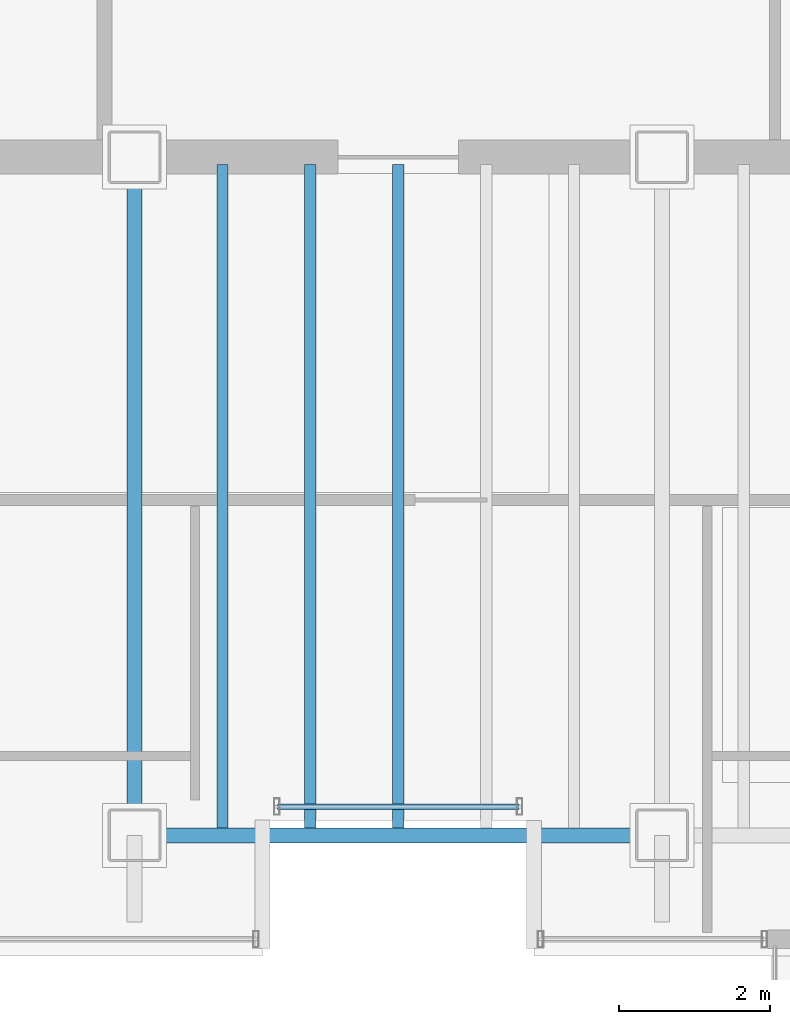
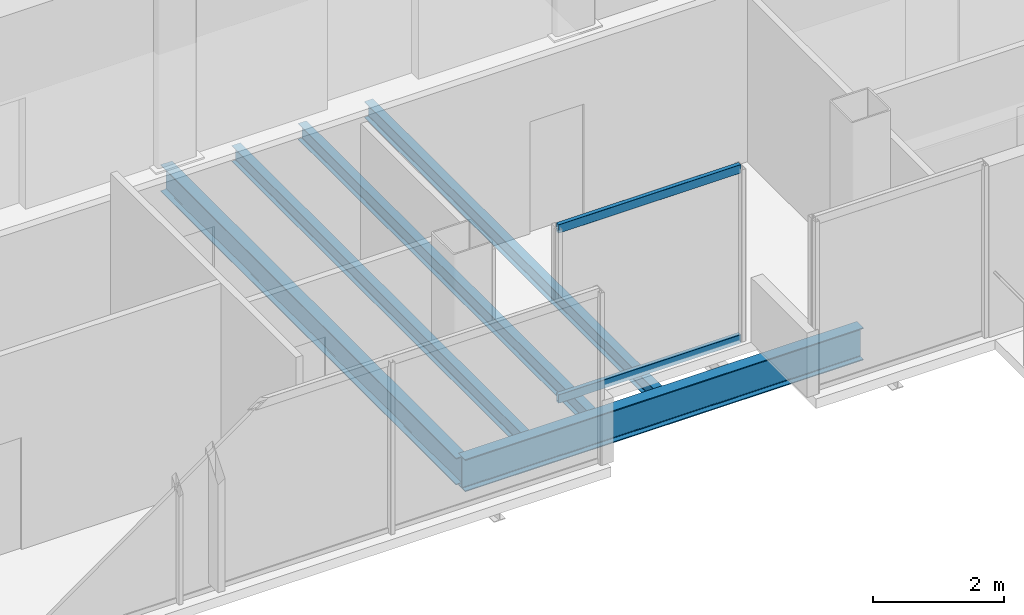
# One storey, part 3 of 17: 5 beams, 2 members, 1 element without a shape of its own.
"""IFC4 building model written with IfcOpenShell, lengths in metres."""

from ifc_helpers import new_model, si_unit, direction, frame, origin, origin_2d, place, context, subcontext, project, spatial, hollow_rectangle, i_section, extrude, material, material_profile, profile_set, type_object, element, aggregate, save


model = new_model("IFC4")

# Units and contexts
model_context = context("Model", 3, precision=1e-05, world=origin(), true_north=direction((0.0, 1.0)))
body_context = subcontext(model_context, "Body", "Model", "MODEL_VIEW")
ifc_project = project(units=[si_unit("LENGTHUNIT", "METRE"), si_unit("AREAUNIT", "SQUARE_METRE"), si_unit("VOLUMEUNIT", "CUBIC_METRE"), si_unit("PLANEANGLEUNIT", "RADIAN"), si_unit("MASSUNIT", "GRAM", prefix="KILO")], contexts=[model_context])

# Site, building, storey
site_placement = place(None, origin())
site = spatial("IfcSite", under=ifc_project, at=site_placement, CompositionType="ELEMENT")
building_placement = place(site_placement, origin())
building = spatial("IfcBuilding", under=site, at=building_placement, Name="Noeulbin Bourse Tower", CompositionType="ELEMENT")
storey_placement = place(building_placement, frame((0.0, 0.0, 293.0)))
storey = spatial("IfcBuildingStorey", under=building, at=storey_placement, Name="L73", CompositionType="ELEMENT", Elevation=293.0)

# Beams
ifc_material_1 = material(Name="Steel S355", Category="steel")
ifc_material_profile_1 = material_profile(ifc_material_1, i_section(OverallWidth=0.199951171875, OverallDepth=0.5, WebThickness=0.010009765625, FlangeThickness=0.01611328125, FilletRadius=0.02001953125, at=origin_2d()), Name="H-500x200x10x16", Category="LoadBearing")
ifc_profile_set_1 = profile_set([ifc_material_profile_1], Name="Steel S355")
beam_type_1 = type_object("IfcBeamType", Name="BM-GRD-500", PredefinedType="USERDEFINED", material=ifc_profile_set_1)
beam_1_placement = place(storey_placement, frame((24.0, 20.0, -0.429931640625), z_axis=(0.0, 1.0, 0.0), x_axis=(-1.0, 0.0, 0.0)))
element("IfcBeam", 1, at=beam_1_placement, inside=storey, type_object=beam_type_1, Name="Tower Primary Girder NS L73-2.2", ObjectType="GIRDER", PredefinedType="USERDEFINED", context=body_context, shape_type="SweptSolid", body=[
    extrude(i_section(OverallWidth=0.199951171875, OverallDepth=0.5, WebThickness=0.010009765625, FlangeThickness=0.01611328125, FilletRadius=0.02001953125, at=origin_2d()), origin(), (0.0, 0.0, 1.0), 9.0),
])
ifc_material_profile_2 = material_profile(ifc_material_1, i_section(OverallWidth=0.199951171875, OverallDepth=0.60009765625, WebThickness=0.010986328125, FlangeThickness=0.01708984375, FilletRadius=0.02197265625, at=origin_2d()), Name="H-600x200x11x17", Category="LoadBearing")
ifc_profile_set_2 = profile_set([ifc_material_profile_2], Name="Steel S355")
beam_type_2 = type_object("IfcBeamType", Name="BM-GRD-600", PredefinedType="USERDEFINED", material=ifc_profile_set_2)
beam_2_placement = place(storey_placement, frame((24.0, 20.0, -0.47998046875), z_axis=(1.0, 0.0, 0.0), x_axis=(0.0, 1.0, 0.0)))
element("IfcBeam", 2, at=beam_2_placement, inside=storey, type_object=beam_type_2, Name="Tower Primary Girder EW L73-1.1", ObjectType="GIRDER", PredefinedType="USERDEFINED", context=body_context, shape_type="SweptSolid", body=[
    extrude(i_section(OverallWidth=0.199951171875, OverallDepth=0.60009765625, WebThickness=0.010986328125, FlangeThickness=0.01708984375, FilletRadius=0.02197265625, at=origin_2d()), origin(), (0.0, 0.0, 1.0), 7.0),
])
ifc_material_profile_3 = material_profile(ifc_material_1, i_section(OverallWidth=0.14990234375, OverallDepth=0.300048828125, WebThickness=0.006591796875, FlangeThickness=0.009033203125, FilletRadius=0.012939453125, at=origin_2d()), Name="H-300x150x6.5x9", Category="LoadBearing")
ifc_profile_set_3 = profile_set([ifc_material_profile_3], Name="Steel S355")
beam_type_3 = type_object("IfcBeamType", Name="BM-JST-300", PredefinedType="JOIST", material=ifc_profile_set_3)
for number, where, z_axis, x_axis, name in (
    (3, (25.166748046875, 20.10009765625, -0.330078125), (0.0, 1.0, 0.0), (-1.0, 0.0, 0.0), "Tower Composite Joist L73-01"),
    (4, (26.333251953125, 20.10009765625, -0.330078125), (0.0, 1.0, 0.0), (-1.0, 0.0, 0.0), "Tower Composite Joist L73-03"),
    (5, (27.5, 20.10009765625, -0.330078125), (0.0, 1.0, 0.0), (-1.0, 0.0, 0.0), "Tower Composite Joist L73-05"),
):
    element("IfcBeam", number, at=place(storey_placement, frame(where, z_axis=z_axis, x_axis=x_axis)), inside=storey, type_object=beam_type_3, Name=name, PredefinedType="JOIST", context=body_context, shape_type="SweptSolid", body=[
        extrude(i_section(OverallWidth=0.14990234375, OverallDepth=0.300048828125, WebThickness=0.006591796875, FlangeThickness=0.009033203125, FilletRadius=0.012939453125, at=origin_2d()), origin(), (0.0, 0.0, 1.0), 8.7998046875),
    ])

# Curtain wall, members
ifc_material_2 = material(Name="High-Selectivity Low-Iron Glazing", Category="glass")
curtain_wall_type = type_object("IfcCurtainWallType", Name="CW-SYS-4", PredefinedType="NOTDEFINED", material=ifc_material_2)
curtain_wall_placement = place(storey_placement, origin())
curtain_wall = element("IfcCurtainWall", 6, at=curtain_wall_placement, inside=storey, type_object=curtain_wall_type, Name="Unitised Curtain Wall CW-L73-SREC", PredefinedType="NOTDEFINED")
ifc_material_3 = material(Name="Anodised Aluminium 6063-T6", Category="aluminium")
ifc_material_profile_4 = material_profile(ifc_material_3, hollow_rectangle(XDim=0.074951171875, YDim=0.159912109375, WallThickness=0.0048828125, InnerFilletRadius=0.00244140625, OuterFilletRadius=0.0048828125, at=origin_2d()), Name="ALU-TRAN-75x160x5", Category="LoadBearing")
ifc_profile_set_4 = profile_set([ifc_material_profile_4], Name="Anodised Aluminium 6063-T6")
member_type = type_object("IfcMemberType", Name="CW-SYS-4-TRN", PredefinedType="USERDEFINED", material=ifc_profile_set_4)
member_1_placement = place(storey_placement, frame((25.89990234375, 20.3798828125, 0.010009765625), z_axis=(1.0, 0.0, 0.0), x_axis=(0.0, 1.0, 0.0)))
member_1 = element("IfcMember", 7, at=member_1_placement, type_object=member_type, Name="Curtain Wall Transom CW-L73-SREC-T00", ObjectType="TRANSOM", PredefinedType="USERDEFINED", context=body_context, shape_type="SweptSolid", body=[
    extrude(hollow_rectangle(XDim=0.074951171875, YDim=0.159912109375, WallThickness=0.0048828125, InnerFilletRadius=0.00244140625, OuterFilletRadius=0.0048828125, at=origin_2d()), origin(), (0.0, 0.0, 1.0), 3.2001953125),
])
member_2_placement = place(storey_placement, frame((25.89990234375, 20.3798828125, 3.169921875), z_axis=(1.0, 0.0, 0.0), x_axis=(0.0, 1.0, 0.0)))
member_2 = element("IfcMember", 8, at=member_2_placement, type_object=member_type, Name="Curtain Wall Transom CW-L73-SREC-T01", ObjectType="TRANSOM", PredefinedType="USERDEFINED", context=body_context, shape_type="SweptSolid", body=[
    extrude(hollow_rectangle(XDim=0.074951171875, YDim=0.159912109375, WallThickness=0.0048828125, InnerFilletRadius=0.00244140625, OuterFilletRadius=0.0048828125, at=origin_2d()), origin(), (0.0, 0.0, 1.0), 3.2001953125),
])
aggregate(curtain_wall, [member_1, member_2])

save(model, "model.ifc")
